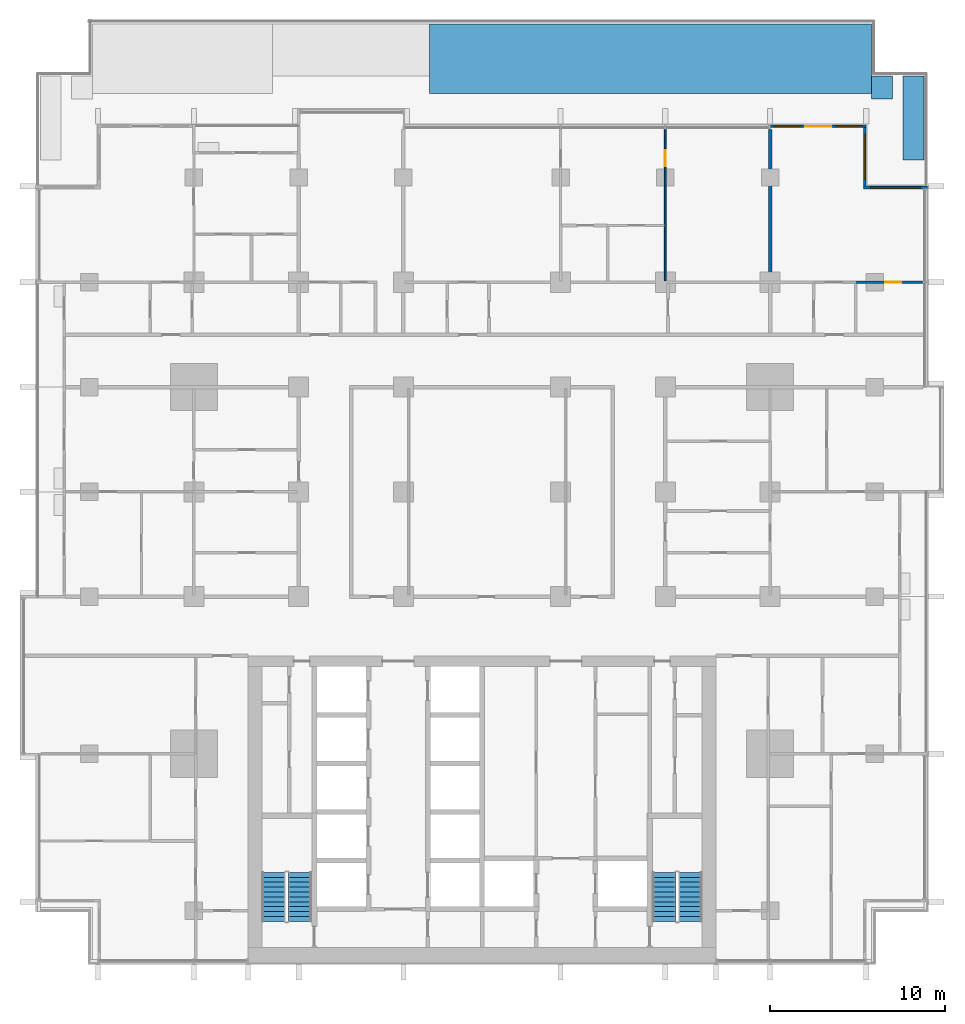
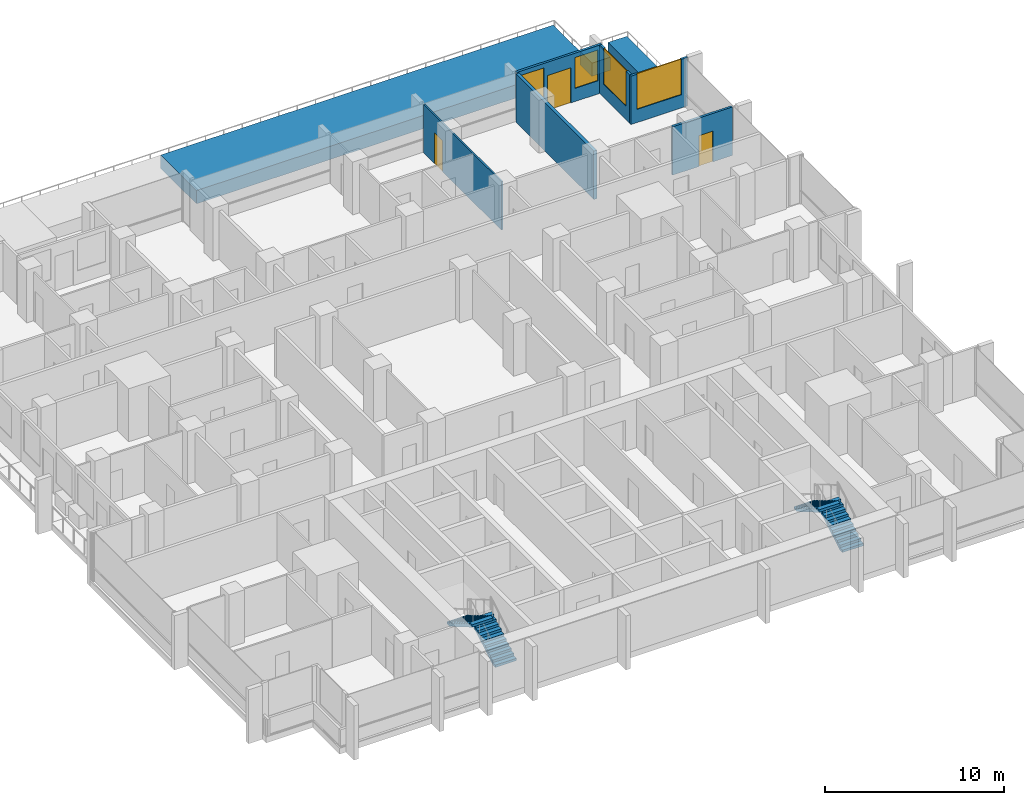
# One storey, part 13 of 19: 9 walls, 4 stair flights, 4 windows, 3 doors, 7 openings, 2 elements without a shape of their own.
"""IFC4 building model written with IfcOpenShell, lengths in metres."""

from ifc_helpers import new_model, si_unit, direction, frame, frame_2d, origin, place, context, subcontext, project, spatial, polyline, rectangle, outline, extrude, material, layer, layer_set, type_object, element, fill, aggregate, save


model = new_model("IFC4")

# Units and contexts
model_context = context("Model", 3, precision=1e-05, world=origin(), true_north=direction((0.0, 1.0)))
body_context = subcontext(model_context, "Body", "Model", "MODEL_VIEW")
ifc_project = project(units=[si_unit("LENGTHUNIT", "METRE"), si_unit("AREAUNIT", "SQUARE_METRE"), si_unit("VOLUMEUNIT", "CUBIC_METRE"), si_unit("PLANEANGLEUNIT", "RADIAN"), si_unit("MASSUNIT", "GRAM", prefix="KILO")], contexts=[model_context])

# Site, building, storey
site_placement = place(None, origin())
site = spatial("IfcSite", under=ifc_project, at=site_placement, CompositionType="ELEMENT")
building_placement = place(site_placement, origin())
building = spatial("IfcBuilding", under=site, at=building_placement, Name="Finial Court Residences", CompositionType="ELEMENT")
storey_placement = place(building_placement, frame((0.0, 0.0, 81.10009765625)))
storey = spatial("IfcBuildingStorey", under=building, at=storey_placement, Name="L19", CompositionType="ELEMENT", Elevation=81.10009765625)

# Wall
ifc_material_1 = material(Name="Gypsum board")
ifc_layer_1 = layer(ifc_material_1, 0.02490234375)
ifc_material_2 = material(Name="Acoustic mineral wool in double frame")
ifc_layer_2 = layer(ifc_material_2, 0.14990234375)
ifc_layer_3 = layer(ifc_material_1, 0.02490234375)
ifc_layer_set_1 = layer_set([ifc_layer_1, ifc_layer_2, ifc_layer_3], Name="Acoustic party wall 200, 1 hour")
wall_type_1 = type_object("IfcWallType", Name="Acoustic party wall 200, 1 hour", PredefinedType="PARTITIONING", material=ifc_layer_set_1)
wall_1_placement = place(storey_placement, frame((16.5, 13.574951171875, 0.0), z_axis=(0.0, 0.0, 1.0), x_axis=(0.0, 1.0, 0.0)))
element("IfcWall", 1, at=wall_1_placement, inside=storey, type_object=wall_type_1, Name="Partition L19-078", PredefinedType="PARTITIONING", context=body_context, shape_type="SweptSolid", body=[
    extrude(rectangle(XDim=8.675048828125, YDim=0.199951171875, at=frame_2d((4.33740234375, 0.0))), origin(), (0.0, 0.0, 1.0), 3.2998046875),
])

# Wall, opening, door
ifc_layer_4 = layer(ifc_material_1, 0.012451171875)
ifc_material_3 = material(Name="Mineral wool in light-gauge frame")
ifc_layer_5 = layer(ifc_material_3, 0.074951171875)
ifc_layer_6 = layer(ifc_material_1, 0.012451171875)
ifc_layer_set_2 = layer_set([ifc_layer_4, ifc_layer_5, ifc_layer_6], Name="Gypsum board partition 100")
wall_type_2 = type_object("IfcWallType", Name="Gypsum board partition 100", PredefinedType="PARTITIONING", material=ifc_layer_set_2)
wall_2_placement = place(storey_placement, frame((10.5, 13.574951171875, 0.0), z_axis=(0.0, 0.0, 1.0), x_axis=(0.0, 1.0, 0.0)))
wall_2 = element("IfcWall", 2, at=wall_2_placement, inside=storey, type_object=wall_type_2, Name="Partition L19-070", PredefinedType="PARTITIONING", context=body_context, shape_type="SweptSolid", body=[
    extrude(rectangle(XDim=8.675048828125, YDim=0.10009765625, at=frame_2d((4.33740234375, 0.0))), origin(), (0.0, 0.0, 1.0), 3.2998046875),
])
opening_1_placement = place(wall_2_placement, frame((6.574951171875, 0.0, 0.0)))
opening_1 = element("IfcOpeningElement", 3, at=opening_1_placement, cuts=wall_2, Name="Opening L19-D045", PredefinedType="OPENING", context=body_context, shape_type="SweptSolid", body=[
    extrude(rectangle(XDim=0.89990234375, YDim=2.10009765625, at=frame_2d((0.449951171875, 1.050048828125))), frame((0.0, 0.06005859375, 0.0), z_axis=(0.0, -1.0, 0.0), x_axis=(1.0, 0.0, 0.0)), (0.0, 0.0, 1.0), 0.1201171875),
])
ifc_material_4 = material(Name="Timber door leaf in timber frame", Category="wood")
door_type_1 = type_object("IfcDoorType", Name="Door set 900 x 2100", OperationType="SINGLE_SWING_LEFT", PredefinedType="DOOR", material=ifc_material_4)
door_1_placement = place(opening_1_placement, origin())
door_1 = element("IfcDoor", 4, at=door_1_placement, inside=storey, type_object=door_type_1, Name="Door L19-D045", OperationType="SINGLE_SWING_RIGHT", OverallHeight=2.10009765625, OverallWidth=0.89990234375, PredefinedType="DOOR", context=body_context, shape_type="SweptSolid", body=[
    extrude(rectangle(XDim=0.89990234375, YDim=2.10009765625, at=frame_2d((0.449951171875, 1.050048828125))), frame((0.0, 0.02490234375, 0.0), z_axis=(0.0, -1.0, 0.0), x_axis=(1.0, 0.0, 0.0)), (0.0, 0.0, 1.0), 0.050048828125),
])
fill(opening_1, door_1)

ifc_material_5 = material(Name="Moisture-resistant gypsum board")
ifc_layer_7 = layer(ifc_material_5, 0.012451171875)
ifc_layer_8 = layer(ifc_material_3, 0.125)
ifc_layer_9 = layer(ifc_material_5, 0.012451171875)
ifc_layer_set_3 = layer_set([ifc_layer_7, ifc_layer_8, ifc_layer_9], Name="Gypsum board wet-area partition 150")
wall_type_3 = type_object("IfcWallType", Name="Gypsum board wet-area partition 150", PredefinedType="PARTITIONING", material=ifc_layer_set_3)
wall_3_placement = place(storey_placement, frame((21.39990234375, 13.5, 0.0), z_axis=(0.0, 0.0, 1.0), x_axis=(1.0, 0.0, 0.0)))
wall_3 = element("IfcWall", 5, at=wall_3_placement, inside=storey, type_object=wall_type_3, Name="Partition L19-036", PredefinedType="PARTITIONING", context=body_context, shape_type="SweptSolid", body=[
    extrude(rectangle(XDim=3.85009765625, YDim=0.14990234375, at=frame_2d((1.925048828125, 0.0))), origin(), (0.0, 0.0, 1.0), 3.2998046875),
])
opening_2_placement = place(wall_3_placement, frame((1.699951171875, 0.0, 0.0)))
opening_2 = element("IfcOpeningElement", 6, at=opening_2_placement, cuts=wall_3, Name="Opening L19-D027", PredefinedType="OPENING", context=body_context, shape_type="SweptSolid", body=[
    extrude(rectangle(XDim=0.89990234375, YDim=2.10009765625, at=frame_2d((0.449951171875, 1.050048828125))), frame((0.0, 0.0849609375, 0.0), z_axis=(0.0, -1.0, 0.0), x_axis=(1.0, 0.0, 0.0)), (0.0, 0.0, 1.0), 0.169921875),
])
door_2_placement = place(opening_2_placement, origin())
door_2 = element("IfcDoor", 7, at=door_2_placement, inside=storey, type_object=door_type_1, Name="Door L19-D027", OperationType="SINGLE_SWING_RIGHT", OverallHeight=2.10009765625, OverallWidth=0.89990234375, PredefinedType="DOOR", context=body_context, shape_type="SweptSolid", body=[
    extrude(rectangle(XDim=0.89990234375, YDim=2.10009765625, at=frame_2d((0.449951171875, 1.050048828125))), frame((0.0, 0.02490234375, 0.0), z_axis=(0.0, -1.0, 0.0), x_axis=(1.0, 0.0, 0.0)), (0.0, 0.0, 1.0), 0.050048828125),
])
fill(opening_2, door_2)

# Wall, opening, window
ifc_material_6 = material(Name="Natural limestone", Category="masonry")
ifc_layer_10 = layer(ifc_material_6, 0.14990234375)
ifc_layer_set_4 = layer_set([ifc_layer_10], Name="Limestone clad wall 150")
wall_type_4 = type_object("IfcWallType", Name="Limestone clad wall 150", PredefinedType="SOLIDWALL", material=ifc_layer_set_4)
wall_4_placement = place(storey_placement, frame((21.925048828125, 22.35009765625, 0.0), z_axis=(0.0, 0.0, 1.0), x_axis=(0.0, -1.0, 0.0)))
wall_4 = element("IfcWall", 8, at=wall_4_placement, inside=storey, type_object=wall_type_4, Name="E-L19-NWE17", PredefinedType="SOLIDWALL", context=body_context, shape_type="SweptSolid", body=[
    extrude(rectangle(XDim=3.35009765625, YDim=0.14990234375, at=frame_2d((1.675048828125, 0.0))), origin(), (0.0, 0.0, 1.0), 3.2998046875),
])
opening_3_placement = place(wall_4_placement, frame((0.39990234375, 0.0, 0.89990234375)))
opening_3 = element("IfcOpeningElement", 9, at=opening_3_placement, cuts=wall_4, Name="Opening WE19-07", PredefinedType="OPENING", context=body_context, shape_type="SweptSolid", body=[
    extrude(rectangle(XDim=2.550048828125, YDim=2.39990234375, at=frame_2d((1.27490234375, 1.199951171875))), frame((0.0, 0.0849609375, 0.0), z_axis=(0.0, -1.0, 0.0), x_axis=(1.0, 0.0, 0.0)), (0.0, 0.0, 1.0), 0.169921875),
])
ifc_material_7 = material(Name="Clear low-e glass", Category="glass")
window_type_1 = type_object("IfcWindowType", Name="Corner window 2550 x 2400", PartitioningType="SINGLE_PANEL", PredefinedType="WINDOW", material=ifc_material_7)
window_1_placement = place(opening_3_placement, origin())
window_1 = element("IfcWindow", 10, at=window_1_placement, inside=storey, type_object=window_type_1, Name="E-L19-NWE17-W1", OverallHeight=2.39990234375, OverallWidth=2.550048828125, PartitioningType="SINGLE_PANEL", PredefinedType="WINDOW", context=body_context, shape_type="SweptSolid", body=[
    extrude(rectangle(XDim=2.550048828125, YDim=2.39990234375, at=frame_2d((1.27490234375, 1.199951171875))), frame((0.0, 0.030029296875, 0.0), z_axis=(0.0, -1.0, 0.0), x_axis=(1.0, 0.0, 0.0)), (0.0, 0.0, 1.0), 0.06005859375),
])
fill(opening_3, window_1)

wall_5_placement = place(storey_placement, frame((21.85009765625, 18.925048828125, 0.0), z_axis=(0.0, 0.0, 1.0), x_axis=(1.0, 0.0, 0.0)))
wall_5 = element("IfcWall", 11, at=wall_5_placement, inside=storey, type_object=wall_type_4, Name="E-L19-NWN18", PredefinedType="SOLIDWALL", context=body_context, shape_type="SweptSolid", body=[
    extrude(rectangle(XDim=3.64990234375, YDim=0.14990234375, at=frame_2d((1.824951171875, 0.0))), origin(), (0.0, 0.0, 1.0), 3.2998046875),
])
opening_4_placement = place(wall_5_placement, frame((0.39990234375, 0.0, 0.89990234375)))
opening_4 = element("IfcOpeningElement", 12, at=opening_4_placement, cuts=wall_5, Name="Opening WE19-08", PredefinedType="OPENING", context=body_context, shape_type="SweptSolid", body=[
    extrude(rectangle(XDim=2.85009765625, YDim=2.39990234375, at=frame_2d((1.425048828125, 1.199951171875))), frame((0.0, 0.0849609375, 0.0), z_axis=(0.0, -1.0, 0.0), x_axis=(1.0, 0.0, 0.0)), (0.0, 0.0, 1.0), 0.169921875),
])
window_type_2 = type_object("IfcWindowType", Name="Corner window 2850 x 2400", PartitioningType="SINGLE_PANEL", PredefinedType="WINDOW", material=ifc_material_7)
window_2_placement = place(opening_4_placement, origin())
window_2 = element("IfcWindow", 13, at=window_2_placement, inside=storey, type_object=window_type_2, Name="E-L19-NWN18-W1", OverallHeight=2.39990234375, OverallWidth=2.85009765625, PartitioningType="SINGLE_PANEL", PredefinedType="WINDOW", context=body_context, shape_type="SweptSolid", body=[
    extrude(rectangle(XDim=2.85009765625, YDim=2.39990234375, at=frame_2d((1.425048828125, 1.199951171875))), frame((0.0, 0.030029296875, 0.0), z_axis=(0.0, -1.0, 0.0), x_axis=(1.0, 0.0, 0.0)), (0.0, 0.0, 1.0), 0.06005859375),
])
fill(opening_4, window_2)

# Wall, openings, door, windows
wall_6_placement = place(storey_placement, frame((16.5, 22.425048828125, 0.0), z_axis=(0.0, 0.0, 1.0), x_axis=(1.0, 0.0, 0.0)))
wall_6 = element("IfcWall", 14, at=wall_6_placement, inside=storey, type_object=wall_type_4, Name="E-L19-L19-TD2-W", PredefinedType="SOLIDWALL", context=body_context, shape_type="SweptSolid", body=[
    extrude(rectangle(XDim=5.5, YDim=0.14990234375, at=frame_2d((2.75, 0.0))), origin(), (0.0, 0.0, 1.0), 3.2998046875),
])
opening_5_placement = place(wall_6_placement, frame((2.0, 0.0, 0.0)))
opening_5 = element("IfcOpeningElement", 15, at=opening_5_placement, cuts=wall_6, Name="Opening DE19-08", PredefinedType="OPENING", context=body_context, shape_type="SweptSolid", body=[
    extrude(rectangle(XDim=1.5, YDim=2.39990234375, at=frame_2d((0.75, 1.199951171875))), frame((0.0, 0.0849609375, 0.0), z_axis=(0.0, -1.0, 0.0), x_axis=(1.0, 0.0, 0.0)), (0.0, 0.0, 1.0), 0.169921875),
])
opening_6_placement = place(wall_6_placement, frame((0.25, 0.0, 0.89990234375)))
opening_6 = element("IfcOpeningElement", 16, at=opening_6_placement, cuts=wall_6, Name="Opening WE19-22", PredefinedType="OPENING", context=body_context, shape_type="SweptSolid", body=[
    extrude(rectangle(XDim=1.5, YDim=2.10009765625, at=frame_2d((0.75, 1.050048828125))), frame((0.0, 0.0849609375, 0.0), z_axis=(0.0, -1.0, 0.0), x_axis=(1.0, 0.0, 0.0)), (0.0, 0.0, 1.0), 0.169921875),
])
opening_7_placement = place(wall_6_placement, frame((3.75, 0.0, 0.89990234375)))
opening_7 = element("IfcOpeningElement", 17, at=opening_7_placement, cuts=wall_6, Name="Opening WE19-23", PredefinedType="OPENING", context=body_context, shape_type="SweptSolid", body=[
    extrude(rectangle(XDim=1.5, YDim=2.10009765625, at=frame_2d((0.75, 1.050048828125))), frame((0.0, 0.0849609375, 0.0), z_axis=(0.0, -1.0, 0.0), x_axis=(1.0, 0.0, 0.0)), (0.0, 0.0, 1.0), 0.169921875),
])
ifc_material_8 = material(Name="Bronze anodised aluminium", Category="aluminium")
door_type_2 = type_object("IfcDoorType", Name="Terrace door 1500 x 2400", OperationType="DOUBLE_DOOR_SINGLE_SWING", PredefinedType="DOOR", material=ifc_material_8)
door_3_placement = place(opening_5_placement, origin())
door_3 = element("IfcDoor", 18, at=door_3_placement, inside=storey, type_object=door_type_2, Name="E-L19-L19-TD2-W-D", OperationType="DOUBLE_DOOR_SINGLE_SWING", OverallHeight=2.39990234375, OverallWidth=1.5, PredefinedType="DOOR", context=body_context, shape_type="SweptSolid", body=[
    extrude(rectangle(XDim=1.5, YDim=2.39990234375, at=frame_2d((0.75, 1.199951171875))), frame((0.0, 0.02490234375, 0.0), z_axis=(0.0, -1.0, 0.0), x_axis=(1.0, 0.0, 0.0)), (0.0, 0.0, 1.0), 0.050048828125),
])
fill(opening_5, door_3)
window_type_3 = type_object("IfcWindowType", Name="Terrace window 1500 x 2100", PartitioningType="SINGLE_PANEL", PredefinedType="WINDOW", material=ifc_material_7)
window_3_placement = place(opening_6_placement, origin())
window_3 = element("IfcWindow", 19, at=window_3_placement, inside=storey, type_object=window_type_3, Name="E-L19-L19-TD2-W-W1", OverallHeight=2.10009765625, OverallWidth=1.5, PartitioningType="SINGLE_PANEL", PredefinedType="WINDOW", context=body_context, shape_type="SweptSolid", body=[
    extrude(rectangle(XDim=1.5, YDim=2.10009765625, at=frame_2d((0.75, 1.050048828125))), frame((0.0, 0.030029296875, 0.0), z_axis=(0.0, -1.0, 0.0), x_axis=(1.0, 0.0, 0.0)), (0.0, 0.0, 1.0), 0.06005859375),
])
fill(opening_6, window_3)
window_4_placement = place(opening_7_placement, origin())
window_4 = element("IfcWindow", 20, at=window_4_placement, inside=storey, type_object=window_type_3, Name="E-L19-L19-TD2-W-W2", OverallHeight=2.10009765625, OverallWidth=1.5, PartitioningType="SINGLE_PANEL", PredefinedType="WINDOW", context=body_context, shape_type="SweptSolid", body=[
    extrude(rectangle(XDim=1.5, YDim=2.10009765625, at=frame_2d((0.75, 1.050048828125))), frame((0.0, 0.030029296875, 0.0), z_axis=(0.0, -1.0, 0.0), x_axis=(1.0, 0.0, 0.0)), (0.0, 0.0, 1.0), 0.06005859375),
])
fill(opening_7, window_4)

# Walls
ifc_material_9 = material(Name="Concrete C40/50", Category="concrete")
ifc_layer_11 = layer(ifc_material_9, 0.199951171875)
ifc_material_10 = material(Name="Planting soil", Category="soil")
ifc_layer_12 = layer(ifc_material_10, 0.800048828125)
ifc_layer_13 = layer(ifc_material_9, 0.199951171875)
ifc_layer_set_5 = layer_set([ifc_layer_11, ifc_layer_12, ifc_layer_13], Name="Planter wall, terrace 1200")
wall_type_5 = type_object("IfcWallType", Name="Planter wall, terrace 1200", PredefinedType="USERDEFINED", material=ifc_layer_set_5)
wall_7_placement = place(storey_placement, frame((24.699951171875, 20.5, 0.0), z_axis=(0.0, 0.0, 1.0), x_axis=(0.0, 1.0, 0.0)))
element("IfcWall", 21, at=wall_7_placement, inside=storey, type_object=wall_type_5, Name="E-L19-TER1-PL2", ObjectType="PLANTER", PredefinedType="USERDEFINED", context=body_context, shape_type="SweptSolid", body=[
    extrude(rectangle(XDim=4.800048828125, YDim=1.199951171875, at=frame_2d((2.39990234375, 0.0))), origin(), (0.0, 0.0, 1.0), 0.89990234375),
])
wall_8_placement = place(storey_placement, frame((22.89990234375, 24.0, 0.0), z_axis=(0.0, 0.0, 1.0), x_axis=(0.0, 1.0, 0.0)))
element("IfcWall", 22, at=wall_8_placement, inside=storey, type_object=wall_type_5, Name="E-L19-TER1-PL4", ObjectType="PLANTER", PredefinedType="USERDEFINED", context=body_context, shape_type="SweptSolid", body=[
    extrude(rectangle(XDim=1.300048828125, YDim=1.199951171875, at=frame_2d((0.64990234375, 0.0))), origin(), (0.0, 0.0, 1.0), 0.89990234375),
])
ifc_layer_14 = layer(ifc_material_9, 0.199951171875)
ifc_layer_15 = layer(ifc_material_10, 3.60009765625)
ifc_layer_16 = layer(ifc_material_9, 0.199951171875)
ifc_layer_set_6 = layer_set([ifc_layer_14, ifc_layer_15, ifc_layer_16], Name="Planter wall, terrace 4000")
wall_type_6 = type_object("IfcWallType", Name="Planter wall, terrace 4000", PredefinedType="USERDEFINED", material=ifc_layer_set_6)
wall_9_placement = place(storey_placement, frame((-3.0, 26.300048828125, 0.0), z_axis=(0.0, 0.0, 1.0), x_axis=(1.0, 0.0, 0.0)))
element("IfcWall", 23, at=wall_9_placement, inside=storey, type_object=wall_type_6, Name="E-L19-TER1-PL6", ObjectType="PLANTER", PredefinedType="USERDEFINED", context=body_context, shape_type="SweptSolid", body=[
    extrude(rectangle(XDim=25.300048828125, YDim=4.0, at=frame_2d((12.64990234375, 0.0))), origin(), (0.0, 0.0, 1.0), 0.89990234375),
])

# Stair, stair flights
ifc_material_11 = material(Name="Concrete C50/60", Category="concrete")
stair_type = type_object("IfcStairType", Name="Exit stair 22 risers of 163.6 mm", PredefinedType="HALF_TURN_STAIR", material=ifc_material_11)
stair_1_placement = place(storey_placement, origin())
stair_1 = element("IfcStair", 24, at=stair_1_placement, inside=storey, type_object=stair_type, Name="L19 Exit stair ST-1", PredefinedType="HALF_TURN_STAIR")
stair_flight_type = type_object("IfcStairFlightType", Name="Exit stair flight", PredefinedType="STRAIGHT", material=ifc_material_11)
stair_flight_1_placement = place(storey_placement, frame((-10.425048828125, -23.10009765625, 0.0), z_axis=(0.0, 0.0, 1.0), x_axis=(0.0, 1.0, 0.0)))
stair_flight_1 = element("IfcStairFlight", 25, at=stair_flight_1_placement, type_object=stair_flight_type, Name="ST-1 flight 1", NumberOfRisers=11, NumberOfTreads=10, PredefinedType="STRAIGHT", RiserHeight=0.163636364, TreadLength=0.28, context=body_context, shape_type="SweptSolid", body=[
    extrude(outline(polyline([(0.0, 0.0), (0.0, 0.16357421875), (0.280029296875, 0.16357421875), (0.280029296875, 0.327392578125), (0.56005859375, 0.327392578125), (0.56005859375, 0.490966796875), (0.840087890625, 0.490966796875), (0.840087890625, 0.654541015625), (1.1201171875, 0.654541015625), (1.1201171875, 0.818115234375), (1.39990234375, 0.818115234375), (1.39990234375, 0.98193359375), (1.679931640625, 0.98193359375), (1.679931640625, 1.1455078125), (1.9599609375, 1.1455078125), (1.9599609375, 1.30908203125), (2.239990234375, 1.30908203125), (2.239990234375, 1.47265625), (2.52001953125, 1.47265625), (2.52001953125, 1.636474609375), (2.800048828125, 1.636474609375), (2.800048828125, 1.800048828125), (2.800048828125, 1.462646484375), (0.297119140625, 0.0), (0.0, 0.0)])), frame((0.0, 0.675048828125, 0.0), z_axis=(0.0, -1.0, 0.0), x_axis=(1.0, 0.0, 0.0)), (0.0, 0.0, 1.0), 1.35009765625),
])
stair_flight_2_placement = place(storey_placement, frame((-11.925048828125, -20.300048828125, 1.7998046875), z_axis=(0.0, 0.0, 1.0), x_axis=(0.0, -1.0, 0.0)))
stair_flight_2 = element("IfcStairFlight", 26, at=stair_flight_2_placement, type_object=stair_flight_type, Name="ST-1 flight 2", NumberOfRisers=11, NumberOfTreads=10, PredefinedType="STRAIGHT", RiserHeight=0.163636364, TreadLength=0.28, context=body_context, shape_type="SweptSolid", body=[
    extrude(outline(polyline([(0.0, 0.0), (0.0, 0.16357421875), (0.280029296875, 0.16357421875), (0.280029296875, 0.327392578125), (0.56005859375, 0.327392578125), (0.56005859375, 0.490966796875), (0.840087890625, 0.490966796875), (0.840087890625, 0.654541015625), (1.1201171875, 0.654541015625), (1.1201171875, 0.818115234375), (1.39990234375, 0.818115234375), (1.39990234375, 0.98193359375), (1.679931640625, 0.98193359375), (1.679931640625, 1.1455078125), (1.9599609375, 1.1455078125), (1.9599609375, 1.30908203125), (2.239990234375, 1.30908203125), (2.239990234375, 1.47265625), (2.52001953125, 1.47265625), (2.52001953125, 1.636474609375), (2.800048828125, 1.636474609375), (2.800048828125, 1.800048828125), (2.800048828125, 1.462646484375), (0.297119140625, 0.0), (0.0, 0.0)])), frame((0.0, 0.675048828125, 0.0), z_axis=(0.0, -1.0, 0.0), x_axis=(1.0, 0.0, 0.0)), (0.0, 0.0, 1.0), 1.35009765625),
])
aggregate(stair_1, [stair_flight_1, stair_flight_2])

stair_2_placement = place(storey_placement, origin())
stair_2 = element("IfcStair", 27, at=stair_2_placement, inside=storey, type_object=stair_type, Name="L19 Exit stair ST-2", PredefinedType="HALF_TURN_STAIR")
stair_flight_3_placement = place(storey_placement, frame((11.925048828125, -23.10009765625, 0.0), z_axis=(0.0, 0.0, 1.0), x_axis=(0.0, 1.0, 0.0)))
stair_flight_3 = element("IfcStairFlight", 28, at=stair_flight_3_placement, type_object=stair_flight_type, Name="ST-2 flight 1", NumberOfRisers=11, NumberOfTreads=10, PredefinedType="STRAIGHT", RiserHeight=0.163636364, TreadLength=0.28, context=body_context, shape_type="SweptSolid", body=[
    extrude(outline(polyline([(0.0, 0.0), (0.0, 0.16357421875), (0.280029296875, 0.16357421875), (0.280029296875, 0.327392578125), (0.56005859375, 0.327392578125), (0.56005859375, 0.490966796875), (0.840087890625, 0.490966796875), (0.840087890625, 0.654541015625), (1.1201171875, 0.654541015625), (1.1201171875, 0.818115234375), (1.39990234375, 0.818115234375), (1.39990234375, 0.98193359375), (1.679931640625, 0.98193359375), (1.679931640625, 1.1455078125), (1.9599609375, 1.1455078125), (1.9599609375, 1.30908203125), (2.239990234375, 1.30908203125), (2.239990234375, 1.47265625), (2.52001953125, 1.47265625), (2.52001953125, 1.636474609375), (2.800048828125, 1.636474609375), (2.800048828125, 1.800048828125), (2.800048828125, 1.462646484375), (0.297119140625, 0.0), (0.0, 0.0)])), frame((0.0, 0.675048828125, 0.0), z_axis=(0.0, -1.0, 0.0), x_axis=(1.0, 0.0, 0.0)), (0.0, 0.0, 1.0), 1.35009765625),
])
stair_flight_4_placement = place(storey_placement, frame((10.425048828125, -20.300048828125, 1.7998046875), z_axis=(0.0, 0.0, 1.0), x_axis=(0.0, -1.0, 0.0)))
stair_flight_4 = element("IfcStairFlight", 29, at=stair_flight_4_placement, type_object=stair_flight_type, Name="ST-2 flight 2", NumberOfRisers=11, NumberOfTreads=10, PredefinedType="STRAIGHT", RiserHeight=0.163636364, TreadLength=0.28, context=body_context, shape_type="SweptSolid", body=[
    extrude(outline(polyline([(0.0, 0.0), (0.0, 0.16357421875), (0.280029296875, 0.16357421875), (0.280029296875, 0.327392578125), (0.56005859375, 0.327392578125), (0.56005859375, 0.490966796875), (0.840087890625, 0.490966796875), (0.840087890625, 0.654541015625), (1.1201171875, 0.654541015625), (1.1201171875, 0.818115234375), (1.39990234375, 0.818115234375), (1.39990234375, 0.98193359375), (1.679931640625, 0.98193359375), (1.679931640625, 1.1455078125), (1.9599609375, 1.1455078125), (1.9599609375, 1.30908203125), (2.239990234375, 1.30908203125), (2.239990234375, 1.47265625), (2.52001953125, 1.47265625), (2.52001953125, 1.636474609375), (2.800048828125, 1.636474609375), (2.800048828125, 1.800048828125), (2.800048828125, 1.462646484375), (0.297119140625, 0.0), (0.0, 0.0)])), frame((0.0, 0.675048828125, 0.0), z_axis=(0.0, -1.0, 0.0), x_axis=(1.0, 0.0, 0.0)), (0.0, 0.0, 1.0), 1.35009765625),
])
aggregate(stair_2, [stair_flight_3, stair_flight_4])

save(model, "model.ifc")
